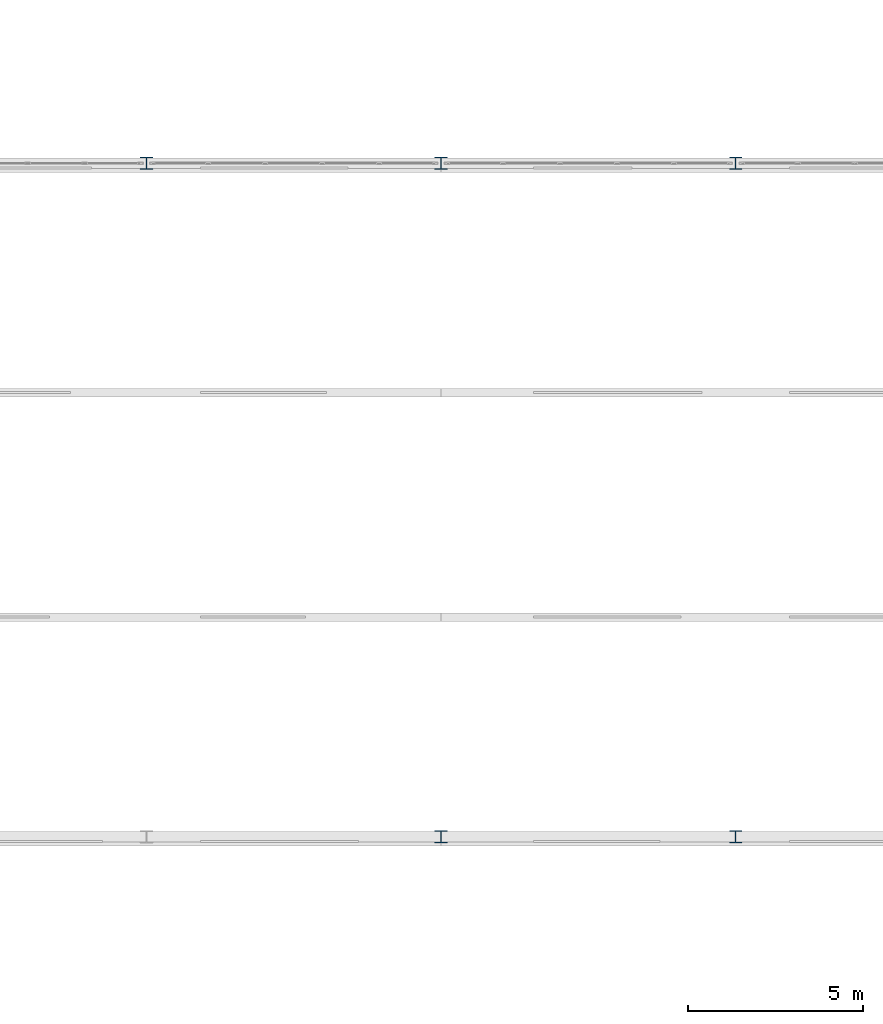
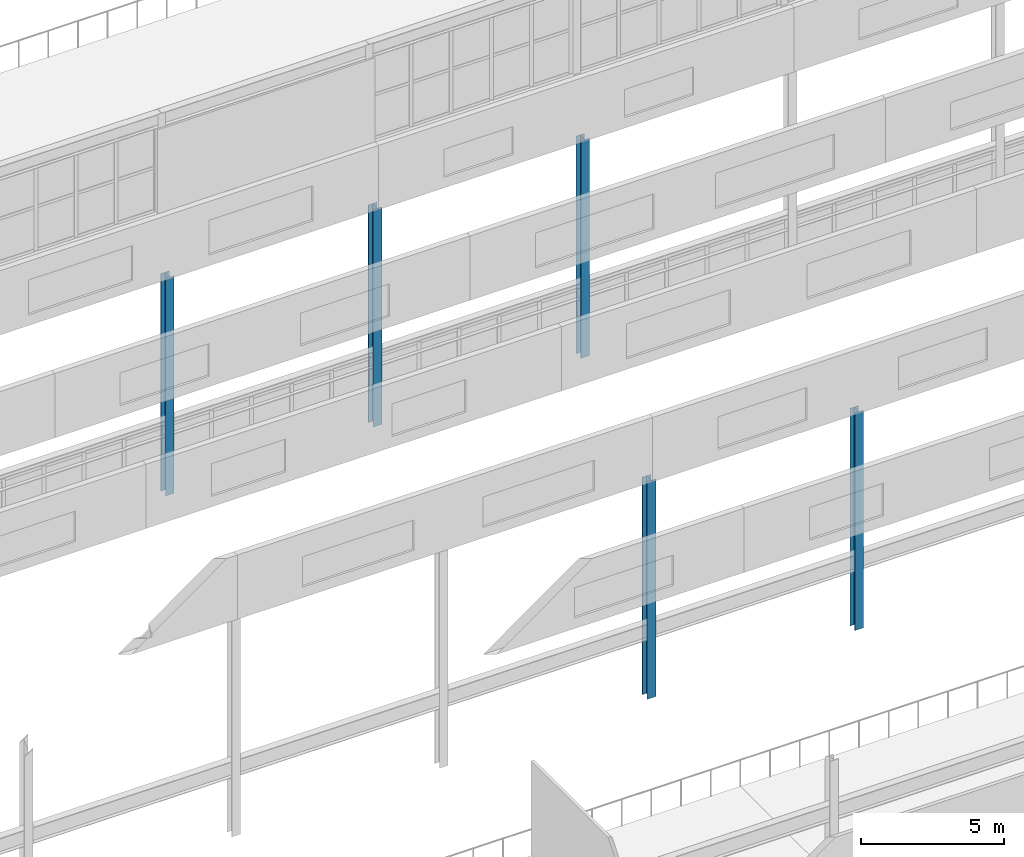
# One storey, part 10 of 218: 5 columns.
"""IFC4 building model written with IfcOpenShell, lengths in metres."""

from ifc_helpers import new_model, si_unit, direction, frame, origin, origin_2d, place, context, subcontext, project, spatial, i_section, extrude, material, material_profile, profile_set, type_object, element, save


model = new_model("IFC4")

# Units and contexts
model_context = context("Model", 3, precision=1e-05, world=origin(), true_north=direction((0.0, 1.0)))
body_context = subcontext(model_context, "Body", "Model", "MODEL_VIEW")
ifc_project = project(units=[si_unit("LENGTHUNIT", "METRE"), si_unit("AREAUNIT", "SQUARE_METRE"), si_unit("VOLUMEUNIT", "CUBIC_METRE"), si_unit("PLANEANGLEUNIT", "RADIAN"), si_unit("MASSUNIT", "GRAM", prefix="KILO")], contexts=[model_context])

# Site, building, storey
site_placement = place(None, origin())
site = spatial("IfcSite", under=ifc_project, at=site_placement, CompositionType="ELEMENT")
building_placement = place(site_placement, origin())
building = spatial("IfcBuilding", under=site, at=building_placement, Name="Kazenagashi Tramway Depot", CompositionType="ELEMENT")
storey_placement = place(building_placement, frame((0.0, 0.0, 6.0)))
storey = spatial("IfcBuildingStorey", under=building, at=storey_placement, Name="L02", CompositionType="ELEMENT", Elevation=6.0)

# Columns
ifc_material = material(Name="Steel SN490B", Category="steel")
ifc_material_profile = material_profile(ifc_material, i_section(OverallWidth=0.35, OverallDepth=0.35, WebThickness=0.012, FlangeThickness=0.019, at=origin_2d()), Name="H-350x350x12x19")
ifc_profile_set = profile_set([ifc_material_profile], Name="Steel SN490B")
column_type = type_object("IfcColumnType", Name="C-04", PredefinedType="COLUMN", material=ifc_profile_set)
for number, where, z_axis, x_axis, name in (
    (1, (103.6, 54.9, 0.0), (0.0, 0.0, 1.0), (1.0, 0.0, 0.0), "Column C-04 COL-0277"),
    (2, (112.0, 35.7, 0.0), (0.0, 0.0, 1.0), (1.0, 0.0, 0.0), "Column C-04 COL-0291"),
    (3, (112.0, 54.9, 0.0), (0.0, 0.0, 1.0), (1.0, 0.0, 0.0), "Column C-04 COL-0294"),
    (4, (120.4, 35.7, 0.0), (0.0, 0.0, 1.0), (1.0, 0.0, 0.0), "Column C-04 COL-0308"),
    (5, (120.4, 54.9, 0.0), (0.0, 0.0, 1.0), (1.0, 0.0, 0.0), "Column C-04 COL-0311"),
):
    element("IfcColumn", number, at=place(storey_placement, frame(where, z_axis=z_axis, x_axis=x_axis)), inside=storey, type_object=column_type, Name=name, PredefinedType="COLUMN", context=body_context, shape_type="SweptSolid", body=[
        extrude(i_section(OverallWidth=0.35, OverallDepth=0.35, WebThickness=0.012, FlangeThickness=0.019, at=origin_2d()), origin(), (0.0, 0.0, 1.0), 9.3),
    ])

save(model, "model.ifc")
